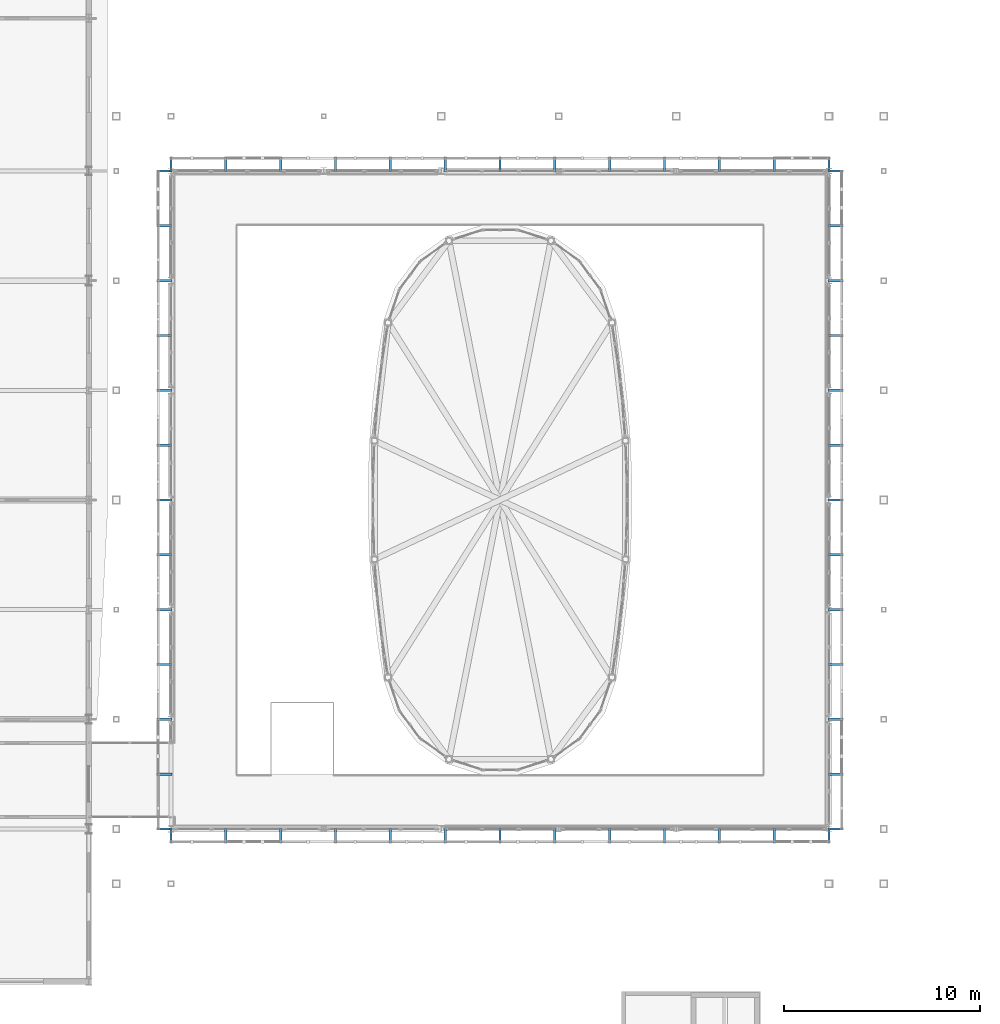
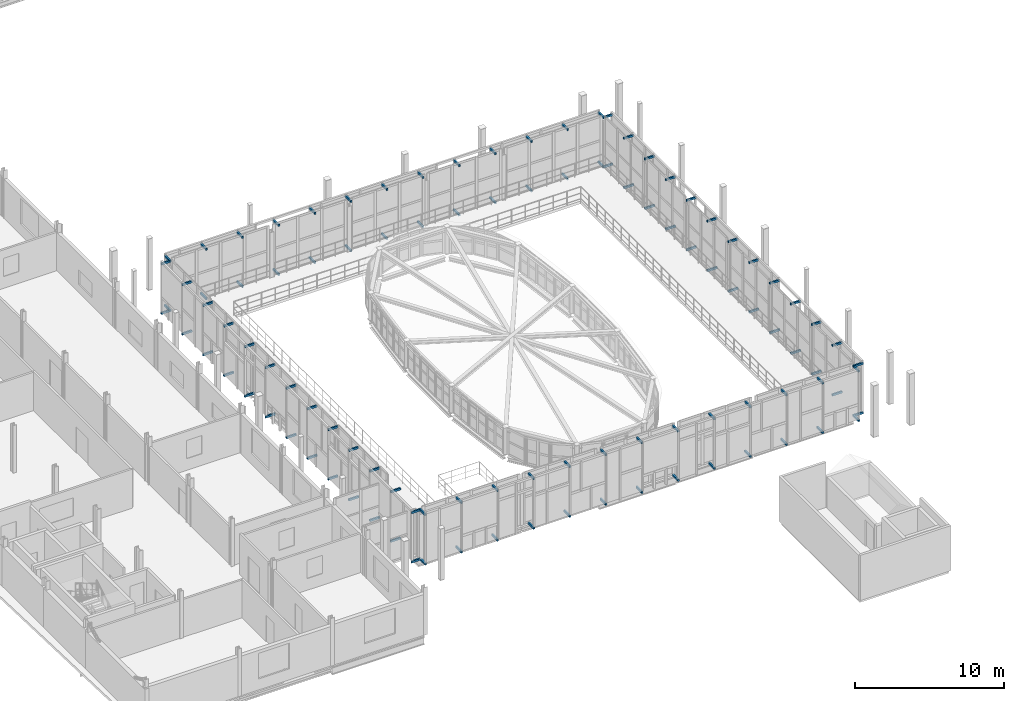
# One storey, part 72 of 78: 104 discrete accessories.
"""IFC4 building model written with IfcOpenShell, lengths in metres."""

from ifc_helpers import new_model, si_unit, direction, frame, origin, origin_2d, place, context, subcontext, project, spatial, rectangle, extrude, material, type_object, element, save


model = new_model("IFC4")

# Units and contexts
model_context = context("Model", 3, precision=1e-05, world=origin(), true_north=direction((0.0, 1.0)))
body_context = subcontext(model_context, "Body", "Model", "MODEL_VIEW")
ifc_project = project(units=[si_unit("LENGTHUNIT", "METRE"), si_unit("AREAUNIT", "SQUARE_METRE"), si_unit("VOLUMEUNIT", "CUBIC_METRE"), si_unit("PLANEANGLEUNIT", "RADIAN"), si_unit("MASSUNIT", "GRAM", prefix="KILO")], contexts=[model_context])

# Site, building, storey
site_placement = place(None, origin())
site = spatial("IfcSite", under=ifc_project, at=site_placement, CompositionType="ELEMENT")
building_placement = place(site_placement, origin())
building = spatial("IfcBuilding", under=site, at=building_placement, Name="Vinh Khe Railworks Police Headquarters", CompositionType="ELEMENT")
storey_placement = place(building_placement, frame((0.0, 0.0, 13.199951171875)))
storey = spatial("IfcBuildingStorey", under=building, at=storey_placement, Name="L03", CompositionType="ELEMENT", Elevation=13.199951171875)

# Discrete accessories
ifc_material = material(Name="Steel S355JR", Category="steel")
discrete_accessory_type = type_object("IfcDiscreteAccessoryType", Name="SCR-BRK-OUTRIGGER", PredefinedType="BRACKET", material=ifc_material)
for number, where, z_axis, x_axis, name in (
    (1, (26.39990234375, 24.875, -0.15966796875), (0.0, 0.0, 1.0), (1.0, 0.0, 0.0), "Patchwork Screen Tie-Back Bracket S-1.3"),
    (2, (26.39990234375, 24.875, 3.89013671875), (0.0, 0.0, 1.0), (1.0, 0.0, 0.0), "Patchwork Screen Tie-Back Bracket S-1.4"),
    (3, (29.199951171875, 24.875, -0.15966796875), (0.0, 0.0, 1.0), (1.0, 0.0, 0.0), "Patchwork Screen Tie-Back Bracket S-2.3"),
    (4, (29.199951171875, 24.875, 3.89013671875), (0.0, 0.0, 1.0), (1.0, 0.0, 0.0), "Patchwork Screen Tie-Back Bracket S-2.4"),
    (5, (32.0, 24.875, -0.15966796875), (0.0, 0.0, 1.0), (1.0, 0.0, 0.0), "Patchwork Screen Tie-Back Bracket S-3.3"),
    (6, (32.0, 24.875, 3.89013671875), (0.0, 0.0, 1.0), (1.0, 0.0, 0.0), "Patchwork Screen Tie-Back Bracket S-3.4"),
    (7, (34.800048828125, 24.875, -0.15966796875), (0.0, 0.0, 1.0), (1.0, 0.0, 0.0), "Patchwork Screen Tie-Back Bracket S-4.3"),
    (8, (34.800048828125, 24.875, 3.89013671875), (0.0, 0.0, 1.0), (1.0, 0.0, 0.0), "Patchwork Screen Tie-Back Bracket S-4.4"),
    (9, (37.60009765625, 24.875, -0.15966796875), (0.0, 0.0, 1.0), (1.0, 0.0, 0.0), "Patchwork Screen Tie-Back Bracket S-5.3"),
    (10, (37.60009765625, 24.875, 3.89013671875), (0.0, 0.0, 1.0), (1.0, 0.0, 0.0), "Patchwork Screen Tie-Back Bracket S-5.4"),
    (11, (40.39990234375, 24.875, -0.15966796875), (0.0, 0.0, 1.0), (1.0, 0.0, 0.0), "Patchwork Screen Tie-Back Bracket S-6.3"),
    (12, (40.39990234375, 24.875, 3.89013671875), (0.0, 0.0, 1.0), (1.0, 0.0, 0.0), "Patchwork Screen Tie-Back Bracket S-6.4"),
    (13, (43.199951171875, 24.875, -0.15966796875), (0.0, 0.0, 1.0), (1.0, 0.0, 0.0), "Patchwork Screen Tie-Back Bracket S-7.3"),
    (14, (43.199951171875, 24.875, 3.89013671875), (0.0, 0.0, 1.0), (1.0, 0.0, 0.0), "Patchwork Screen Tie-Back Bracket S-7.4"),
    (15, (46.0, 24.875, -0.15966796875), (0.0, 0.0, 1.0), (1.0, 0.0, 0.0), "Patchwork Screen Tie-Back Bracket S-8.3"),
    (16, (46.0, 24.875, 3.89013671875), (0.0, 0.0, 1.0), (1.0, 0.0, 0.0), "Patchwork Screen Tie-Back Bracket S-8.4"),
    (17, (48.800048828125, 24.875, -0.15966796875), (0.0, 0.0, 1.0), (1.0, 0.0, 0.0), "Patchwork Screen Tie-Back Bracket S-9.3"),
    (18, (48.800048828125, 24.875, 3.89013671875), (0.0, 0.0, 1.0), (1.0, 0.0, 0.0), "Patchwork Screen Tie-Back Bracket S-9.4"),
    (19, (51.60009765625, 24.875, -0.15966796875), (0.0, 0.0, 1.0), (1.0, 0.0, 0.0), "Patchwork Screen Tie-Back Bracket S-10.3"),
    (20, (51.60009765625, 24.875, 3.89013671875), (0.0, 0.0, 1.0), (1.0, 0.0, 0.0), "Patchwork Screen Tie-Back Bracket S-10.4"),
    (21, (54.39990234375, 24.875, -0.15966796875), (0.0, 0.0, 1.0), (1.0, 0.0, 0.0), "Patchwork Screen Tie-Back Bracket S-11.3"),
    (22, (54.39990234375, 24.875, 3.89013671875), (0.0, 0.0, 1.0), (1.0, 0.0, 0.0), "Patchwork Screen Tie-Back Bracket S-11.4"),
    (23, (57.199951171875, 24.875, -0.15966796875), (0.0, 0.0, 1.0), (1.0, 0.0, 0.0), "Patchwork Screen Tie-Back Bracket S-12.3"),
    (24, (57.199951171875, 24.875, 3.89013671875), (0.0, 0.0, 1.0), (1.0, 0.0, 0.0), "Patchwork Screen Tie-Back Bracket S-12.4"),
    (25, (60.0, 24.875, -0.15966796875), (0.0, 0.0, 1.0), (1.0, 0.0, 0.0), "Patchwork Screen Tie-Back Bracket S-13.3"),
    (26, (60.0, 24.875, 3.89013671875), (0.0, 0.0, 1.0), (1.0, 0.0, 0.0), "Patchwork Screen Tie-Back Bracket S-13.4"),
    (27, (26.39990234375, 59.125, -0.15966796875), (0.0, 0.0, 1.0), (1.0, 0.0, 0.0), "Patchwork Screen Tie-Back Bracket N-1.3"),
    (28, (26.39990234375, 59.125, 3.89013671875), (0.0, 0.0, 1.0), (1.0, 0.0, 0.0), "Patchwork Screen Tie-Back Bracket N-1.4"),
    (29, (29.199951171875, 59.125, -0.15966796875), (0.0, 0.0, 1.0), (1.0, 0.0, 0.0), "Patchwork Screen Tie-Back Bracket N-2.3"),
    (30, (29.199951171875, 59.125, 3.89013671875), (0.0, 0.0, 1.0), (1.0, 0.0, 0.0), "Patchwork Screen Tie-Back Bracket N-2.4"),
    (31, (32.0, 59.125, -0.15966796875), (0.0, 0.0, 1.0), (1.0, 0.0, 0.0), "Patchwork Screen Tie-Back Bracket N-3.3"),
    (32, (32.0, 59.125, 3.89013671875), (0.0, 0.0, 1.0), (1.0, 0.0, 0.0), "Patchwork Screen Tie-Back Bracket N-3.4"),
    (33, (34.800048828125, 59.125, -0.15966796875), (0.0, 0.0, 1.0), (1.0, 0.0, 0.0), "Patchwork Screen Tie-Back Bracket N-4.3"),
    (34, (34.800048828125, 59.125, 3.89013671875), (0.0, 0.0, 1.0), (1.0, 0.0, 0.0), "Patchwork Screen Tie-Back Bracket N-4.4"),
    (35, (37.60009765625, 59.125, -0.15966796875), (0.0, 0.0, 1.0), (1.0, 0.0, 0.0), "Patchwork Screen Tie-Back Bracket N-5.3"),
    (36, (37.60009765625, 59.125, 3.89013671875), (0.0, 0.0, 1.0), (1.0, 0.0, 0.0), "Patchwork Screen Tie-Back Bracket N-5.4"),
    (37, (40.39990234375, 59.125, -0.15966796875), (0.0, 0.0, 1.0), (1.0, 0.0, 0.0), "Patchwork Screen Tie-Back Bracket N-6.3"),
    (38, (40.39990234375, 59.125, 3.89013671875), (0.0, 0.0, 1.0), (1.0, 0.0, 0.0), "Patchwork Screen Tie-Back Bracket N-6.4"),
    (39, (43.199951171875, 59.125, -0.15966796875), (0.0, 0.0, 1.0), (1.0, 0.0, 0.0), "Patchwork Screen Tie-Back Bracket N-7.3"),
    (40, (43.199951171875, 59.125, 3.89013671875), (0.0, 0.0, 1.0), (1.0, 0.0, 0.0), "Patchwork Screen Tie-Back Bracket N-7.4"),
    (41, (46.0, 59.125, -0.15966796875), (0.0, 0.0, 1.0), (1.0, 0.0, 0.0), "Patchwork Screen Tie-Back Bracket N-8.3"),
    (42, (46.0, 59.125, 3.89013671875), (0.0, 0.0, 1.0), (1.0, 0.0, 0.0), "Patchwork Screen Tie-Back Bracket N-8.4"),
    (43, (48.800048828125, 59.125, -0.15966796875), (0.0, 0.0, 1.0), (1.0, 0.0, 0.0), "Patchwork Screen Tie-Back Bracket N-9.3"),
    (44, (48.800048828125, 59.125, 3.89013671875), (0.0, 0.0, 1.0), (1.0, 0.0, 0.0), "Patchwork Screen Tie-Back Bracket N-9.4"),
    (45, (51.60009765625, 59.125, -0.15966796875), (0.0, 0.0, 1.0), (1.0, 0.0, 0.0), "Patchwork Screen Tie-Back Bracket N-10.3"),
    (46, (51.60009765625, 59.125, 3.89013671875), (0.0, 0.0, 1.0), (1.0, 0.0, 0.0), "Patchwork Screen Tie-Back Bracket N-10.4"),
    (47, (54.39990234375, 59.125, -0.15966796875), (0.0, 0.0, 1.0), (1.0, 0.0, 0.0), "Patchwork Screen Tie-Back Bracket N-11.3"),
    (48, (54.39990234375, 59.125, 3.89013671875), (0.0, 0.0, 1.0), (1.0, 0.0, 0.0), "Patchwork Screen Tie-Back Bracket N-11.4"),
    (49, (57.199951171875, 59.125, -0.15966796875), (0.0, 0.0, 1.0), (1.0, 0.0, 0.0), "Patchwork Screen Tie-Back Bracket N-12.3"),
    (50, (57.199951171875, 59.125, 3.89013671875), (0.0, 0.0, 1.0), (1.0, 0.0, 0.0), "Patchwork Screen Tie-Back Bracket N-12.4"),
    (51, (60.0, 59.125, -0.15966796875), (0.0, 0.0, 1.0), (1.0, 0.0, 0.0), "Patchwork Screen Tie-Back Bracket N-13.3"),
    (52, (60.0, 59.125, 3.89013671875), (0.0, 0.0, 1.0), (1.0, 0.0, 0.0), "Patchwork Screen Tie-Back Bracket N-13.4"),
):
    element("IfcDiscreteAccessory", number, at=place(storey_placement, frame(where, z_axis=z_axis, x_axis=x_axis)), inside=storey, type_object=discrete_accessory_type, Name=name, PredefinedType="BRACKET", context=body_context, shape_type="SweptSolid", body=[
        extrude(rectangle(XDim=0.1201171875, YDim=0.77001953125, at=origin_2d()), origin(), (0.0, 0.0, 1.0), 0.159912109375),
    ])
for number, where, z_axis, x_axis, name in (
    (53, (60.324951171875, 25.199951171875, -0.15966796875), (0.0, 0.0, 1.0), (1.0, 0.0, 0.0), "Patchwork Screen Tie-Back Bracket E-1.3"),
    (54, (60.324951171875, 25.199951171875, 3.89013671875), (0.0, 0.0, 1.0), (1.0, 0.0, 0.0), "Patchwork Screen Tie-Back Bracket E-1.4"),
    (55, (60.324951171875, 28.0, -0.15966796875), (0.0, 0.0, 1.0), (1.0, 0.0, 0.0), "Patchwork Screen Tie-Back Bracket E-2.3"),
    (56, (60.324951171875, 28.0, 3.89013671875), (0.0, 0.0, 1.0), (1.0, 0.0, 0.0), "Patchwork Screen Tie-Back Bracket E-2.4"),
    (57, (60.324951171875, 30.800048828125, -0.15966796875), (0.0, 0.0, 1.0), (1.0, 0.0, 0.0), "Patchwork Screen Tie-Back Bracket E-3.3"),
    (58, (60.324951171875, 30.800048828125, 3.89013671875), (0.0, 0.0, 1.0), (1.0, 0.0, 0.0), "Patchwork Screen Tie-Back Bracket E-3.4"),
    (59, (60.324951171875, 33.60009765625, -0.15966796875), (0.0, 0.0, 1.0), (1.0, 0.0, 0.0), "Patchwork Screen Tie-Back Bracket E-4.3"),
    (60, (60.324951171875, 33.60009765625, 3.89013671875), (0.0, 0.0, 1.0), (1.0, 0.0, 0.0), "Patchwork Screen Tie-Back Bracket E-4.4"),
    (61, (60.324951171875, 36.39990234375, -0.15966796875), (0.0, 0.0, 1.0), (1.0, 0.0, 0.0), "Patchwork Screen Tie-Back Bracket E-5.3"),
    (62, (60.324951171875, 36.39990234375, 3.89013671875), (0.0, 0.0, 1.0), (1.0, 0.0, 0.0), "Patchwork Screen Tie-Back Bracket E-5.4"),
    (63, (60.324951171875, 39.199951171875, -0.15966796875), (0.0, 0.0, 1.0), (1.0, 0.0, 0.0), "Patchwork Screen Tie-Back Bracket E-6.3"),
    (64, (60.324951171875, 39.199951171875, 3.89013671875), (0.0, 0.0, 1.0), (1.0, 0.0, 0.0), "Patchwork Screen Tie-Back Bracket E-6.4"),
    (65, (60.324951171875, 42.0, -0.15966796875), (0.0, 0.0, 1.0), (1.0, 0.0, 0.0), "Patchwork Screen Tie-Back Bracket E-7.3"),
    (66, (60.324951171875, 42.0, 3.89013671875), (0.0, 0.0, 1.0), (1.0, 0.0, 0.0), "Patchwork Screen Tie-Back Bracket E-7.4"),
    (67, (60.324951171875, 44.800048828125, -0.15966796875), (0.0, 0.0, 1.0), (1.0, 0.0, 0.0), "Patchwork Screen Tie-Back Bracket E-8.3"),
    (68, (60.324951171875, 44.800048828125, 3.89013671875), (0.0, 0.0, 1.0), (1.0, 0.0, 0.0), "Patchwork Screen Tie-Back Bracket E-8.4"),
    (69, (60.324951171875, 47.60009765625, -0.15966796875), (0.0, 0.0, 1.0), (1.0, 0.0, 0.0), "Patchwork Screen Tie-Back Bracket E-9.3"),
    (70, (60.324951171875, 47.60009765625, 3.89013671875), (0.0, 0.0, 1.0), (1.0, 0.0, 0.0), "Patchwork Screen Tie-Back Bracket E-9.4"),
    (71, (60.324951171875, 50.39990234375, -0.15966796875), (0.0, 0.0, 1.0), (1.0, 0.0, 0.0), "Patchwork Screen Tie-Back Bracket E-10.3"),
    (72, (60.324951171875, 50.39990234375, 3.89013671875), (0.0, 0.0, 1.0), (1.0, 0.0, 0.0), "Patchwork Screen Tie-Back Bracket E-10.4"),
    (73, (60.324951171875, 53.199951171875, -0.15966796875), (0.0, 0.0, 1.0), (1.0, 0.0, 0.0), "Patchwork Screen Tie-Back Bracket E-11.3"),
    (74, (60.324951171875, 53.199951171875, 3.89013671875), (0.0, 0.0, 1.0), (1.0, 0.0, 0.0), "Patchwork Screen Tie-Back Bracket E-11.4"),
    (75, (60.324951171875, 56.0, -0.15966796875), (0.0, 0.0, 1.0), (1.0, 0.0, 0.0), "Patchwork Screen Tie-Back Bracket E-12.3"),
    (76, (60.324951171875, 56.0, 3.89013671875), (0.0, 0.0, 1.0), (1.0, 0.0, 0.0), "Patchwork Screen Tie-Back Bracket E-12.4"),
    (77, (60.324951171875, 58.800048828125, -0.15966796875), (0.0, 0.0, 1.0), (1.0, 0.0, 0.0), "Patchwork Screen Tie-Back Bracket E-13.3"),
    (78, (60.324951171875, 58.800048828125, 3.89013671875), (0.0, 0.0, 1.0), (1.0, 0.0, 0.0), "Patchwork Screen Tie-Back Bracket E-13.4"),
    (79, (26.074951171875, 25.199951171875, -0.15966796875), (0.0, 0.0, 1.0), (1.0, 0.0, 0.0), "Patchwork Screen Tie-Back Bracket W-1.3"),
    (80, (26.074951171875, 25.199951171875, 3.89013671875), (0.0, 0.0, 1.0), (1.0, 0.0, 0.0), "Patchwork Screen Tie-Back Bracket W-1.4"),
    (81, (26.074951171875, 28.0, -0.15966796875), (0.0, 0.0, 1.0), (1.0, 0.0, 0.0), "Patchwork Screen Tie-Back Bracket W-2.3"),
    (82, (26.074951171875, 28.0, 3.89013671875), (0.0, 0.0, 1.0), (1.0, 0.0, 0.0), "Patchwork Screen Tie-Back Bracket W-2.4"),
    (83, (26.074951171875, 30.800048828125, -0.15966796875), (0.0, 0.0, 1.0), (1.0, 0.0, 0.0), "Patchwork Screen Tie-Back Bracket W-3.3"),
    (84, (26.074951171875, 30.800048828125, 3.89013671875), (0.0, 0.0, 1.0), (1.0, 0.0, 0.0), "Patchwork Screen Tie-Back Bracket W-3.4"),
    (85, (26.074951171875, 33.60009765625, -0.15966796875), (0.0, 0.0, 1.0), (1.0, 0.0, 0.0), "Patchwork Screen Tie-Back Bracket W-4.3"),
    (86, (26.074951171875, 33.60009765625, 3.89013671875), (0.0, 0.0, 1.0), (1.0, 0.0, 0.0), "Patchwork Screen Tie-Back Bracket W-4.4"),
    (87, (26.074951171875, 36.39990234375, -0.15966796875), (0.0, 0.0, 1.0), (1.0, 0.0, 0.0), "Patchwork Screen Tie-Back Bracket W-5.3"),
    (88, (26.074951171875, 36.39990234375, 3.89013671875), (0.0, 0.0, 1.0), (1.0, 0.0, 0.0), "Patchwork Screen Tie-Back Bracket W-5.4"),
    (89, (26.074951171875, 39.199951171875, -0.15966796875), (0.0, 0.0, 1.0), (1.0, 0.0, 0.0), "Patchwork Screen Tie-Back Bracket W-6.3"),
    (90, (26.074951171875, 39.199951171875, 3.89013671875), (0.0, 0.0, 1.0), (1.0, 0.0, 0.0), "Patchwork Screen Tie-Back Bracket W-6.4"),
    (91, (26.074951171875, 42.0, -0.15966796875), (0.0, 0.0, 1.0), (1.0, 0.0, 0.0), "Patchwork Screen Tie-Back Bracket W-7.3"),
    (92, (26.074951171875, 42.0, 3.89013671875), (0.0, 0.0, 1.0), (1.0, 0.0, 0.0), "Patchwork Screen Tie-Back Bracket W-7.4"),
    (93, (26.074951171875, 44.800048828125, -0.15966796875), (0.0, 0.0, 1.0), (1.0, 0.0, 0.0), "Patchwork Screen Tie-Back Bracket W-8.3"),
    (94, (26.074951171875, 44.800048828125, 3.89013671875), (0.0, 0.0, 1.0), (1.0, 0.0, 0.0), "Patchwork Screen Tie-Back Bracket W-8.4"),
    (95, (26.074951171875, 47.60009765625, -0.15966796875), (0.0, 0.0, 1.0), (1.0, 0.0, 0.0), "Patchwork Screen Tie-Back Bracket W-9.3"),
    (96, (26.074951171875, 47.60009765625, 3.89013671875), (0.0, 0.0, 1.0), (1.0, 0.0, 0.0), "Patchwork Screen Tie-Back Bracket W-9.4"),
    (97, (26.074951171875, 50.39990234375, -0.15966796875), (0.0, 0.0, 1.0), (1.0, 0.0, 0.0), "Patchwork Screen Tie-Back Bracket W-10.3"),
    (98, (26.074951171875, 50.39990234375, 3.89013671875), (0.0, 0.0, 1.0), (1.0, 0.0, 0.0), "Patchwork Screen Tie-Back Bracket W-10.4"),
    (99, (26.074951171875, 53.199951171875, -0.15966796875), (0.0, 0.0, 1.0), (1.0, 0.0, 0.0), "Patchwork Screen Tie-Back Bracket W-11.3"),
    (100, (26.074951171875, 53.199951171875, 3.89013671875), (0.0, 0.0, 1.0), (1.0, 0.0, 0.0), "Patchwork Screen Tie-Back Bracket W-11.4"),
    (101, (26.074951171875, 56.0, -0.15966796875), (0.0, 0.0, 1.0), (1.0, 0.0, 0.0), "Patchwork Screen Tie-Back Bracket W-12.3"),
    (102, (26.074951171875, 56.0, 3.89013671875), (0.0, 0.0, 1.0), (1.0, 0.0, 0.0), "Patchwork Screen Tie-Back Bracket W-12.4"),
    (103, (26.074951171875, 58.800048828125, -0.15966796875), (0.0, 0.0, 1.0), (1.0, 0.0, 0.0), "Patchwork Screen Tie-Back Bracket W-13.3"),
    (104, (26.074951171875, 58.800048828125, 3.89013671875), (0.0, 0.0, 1.0), (1.0, 0.0, 0.0), "Patchwork Screen Tie-Back Bracket W-13.4"),
):
    element("IfcDiscreteAccessory", number, at=place(storey_placement, frame(where, z_axis=z_axis, x_axis=x_axis)), inside=storey, type_object=discrete_accessory_type, Name=name, PredefinedType="BRACKET", context=body_context, shape_type="SweptSolid", body=[
        extrude(rectangle(XDim=0.77001953125, YDim=0.1201171875, at=origin_2d()), origin(), (0.0, 0.0, 1.0), 0.159912109375),
    ])

save(model, "model.ifc")
